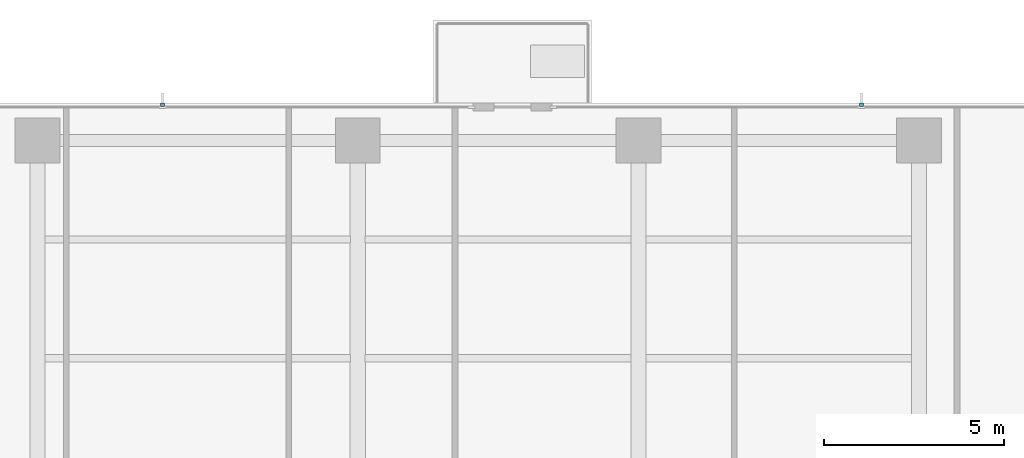
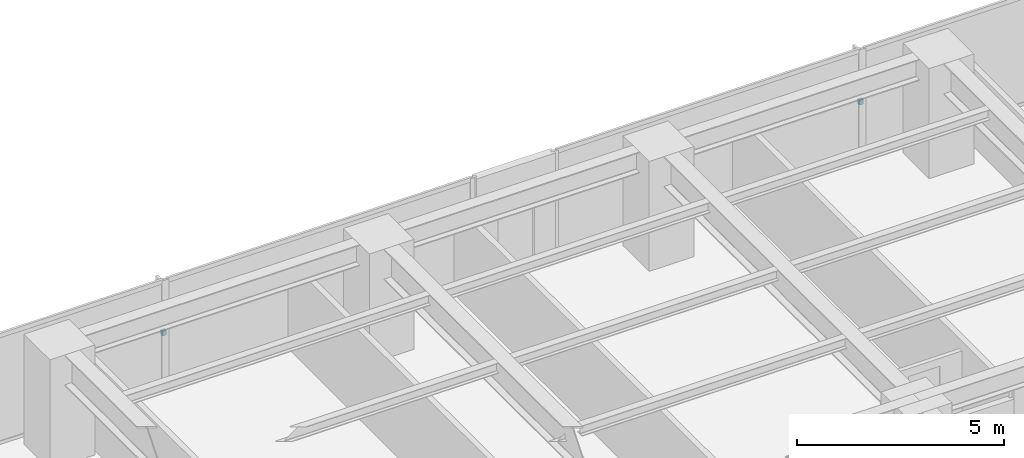
# One storey, part 15 of 17: 2 discrete accessories.
"""IFC4 building model written with IfcOpenShell, lengths in metres."""

from ifc_helpers import new_model, si_unit, direction, frame, origin, place, context, subcontext, project, spatial, polyline, outline, extrude, material, type_object, element, save


model = new_model("IFC4")

# Units and contexts
model_context = context("Model", 3, precision=1e-05, world=origin(), true_north=direction((0.0, 1.0)))
body_context = subcontext(model_context, "Body", "Model", "MODEL_VIEW")
ifc_project = project(units=[si_unit("LENGTHUNIT", "METRE"), si_unit("AREAUNIT", "SQUARE_METRE"), si_unit("VOLUMEUNIT", "CUBIC_METRE"), si_unit("PLANEANGLEUNIT", "RADIAN"), si_unit("MASSUNIT", "GRAM", prefix="KILO")], contexts=[model_context])

# Site, building, storey
site_placement = place(None, origin())
site = spatial("IfcSite", under=ifc_project, at=site_placement, CompositionType="ELEMENT")
building_placement = place(site_placement, origin())
building = spatial("IfcBuilding", under=site, at=building_placement, Name="Qalmaran Belvedere Hotel", CompositionType="ELEMENT")
storey_placement = place(building_placement, frame((0.0, 0.0, 109.199951171875)))
storey = spatial("IfcBuildingStorey", under=building, at=storey_placement, Name="L27", CompositionType="ELEMENT", Elevation=109.199951171875)

# Discrete accessories
ifc_material = material(Name="Stainless Steel 1.4401", Category="steel")
discrete_accessory_type = type_object("IfcDiscreteAccessoryType", Name="BRK-FIN-SS316", PredefinedType="BRACKET", material=ifc_material)
discrete_accessory_1_placement = place(storey_placement, frame((0.0, 0.0, 1.570068359375)))
element("IfcDiscreteAccessory", 1, at=discrete_accessory_1_placement, inside=storey, type_object=discrete_accessory_type, Name="L27 Fin Bracket 1", PredefinedType="BRACKET", context=body_context, shape_type="SweptSolid", body=[
    extrude(outline(polyline([(23.830078125, 46.39501953125), (23.830078125, 46.489990234375), (23.719970703125, 46.489990234375), (23.719970703125, 46.39501953125), (23.830078125, 46.39501953125)])), origin(), (0.0, 0.0, 1.0), 0.139892578125),
])
discrete_accessory_2_placement = place(storey_placement, frame((0.0, 0.0, 1.570068359375)))
element("IfcDiscreteAccessory", 2, at=discrete_accessory_2_placement, inside=storey, type_object=discrete_accessory_type, Name="L27 Fin Bracket 1", PredefinedType="BRACKET", context=body_context, shape_type="SweptSolid", body=[
    extrude(outline(polyline([(43.2548828125, 46.39501953125), (43.2548828125, 46.489990234375), (43.14501953125, 46.489990234375), (43.14501953125, 46.39501953125), (43.2548828125, 46.39501953125)])), origin(), (0.0, 0.0, 1.0), 0.139892578125),
])

save(model, "model.ifc")
